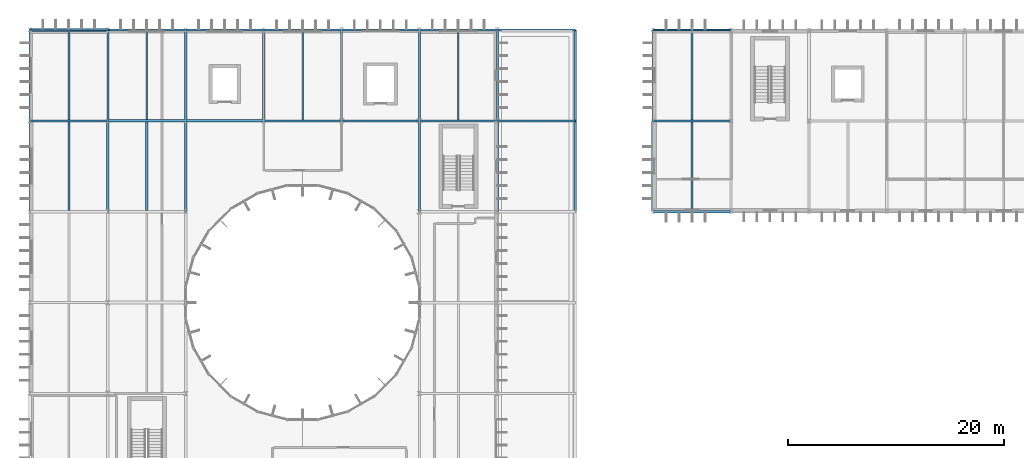
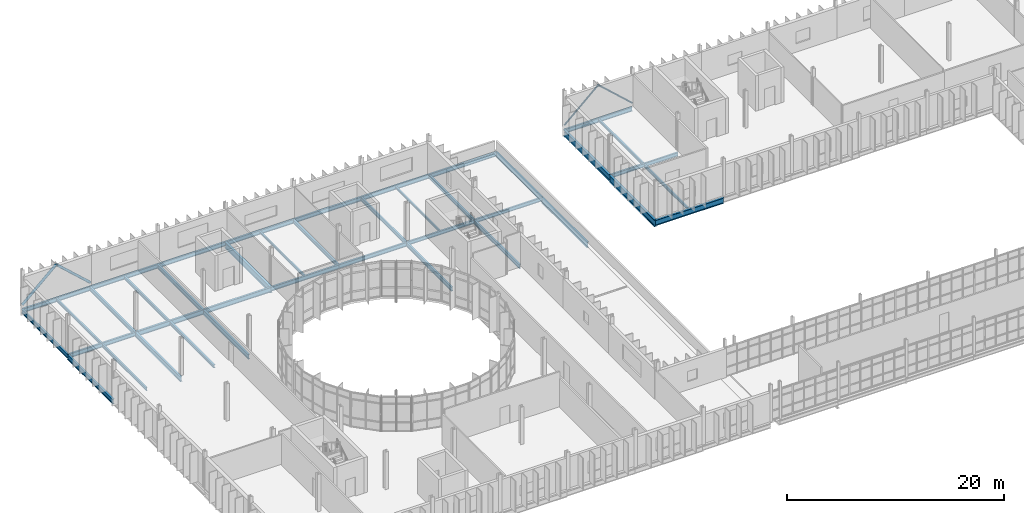
# One storey, part 44 of 99: 41 beams, 4 members.
"""IFC4 building model written with IfcOpenShell, lengths in metres."""

from ifc_helpers import new_model, si_unit, direction, frame, origin, origin_2d, place, context, subcontext, project, spatial, hollow_circle, i_section, extrude, material, material_profile, profile_set, type_object, element, save


model = new_model("IFC4")

# Units and contexts
model_context = context("Model", 3, precision=1e-05, world=origin(), true_north=direction((0.0, 1.0)))
body_context = subcontext(model_context, "Body", "Model", "MODEL_VIEW")
ifc_project = project(units=[si_unit("LENGTHUNIT", "METRE"), si_unit("AREAUNIT", "SQUARE_METRE"), si_unit("VOLUMEUNIT", "CUBIC_METRE"), si_unit("PLANEANGLEUNIT", "RADIAN"), si_unit("MASSUNIT", "GRAM", prefix="KILO")], contexts=[model_context])

# Site, building, storey
site_placement = place(None, origin())
site = spatial("IfcSite", under=ifc_project, at=site_placement, CompositionType="ELEMENT")
building_placement = place(site_placement, origin())
building = spatial("IfcBuilding", under=site, at=building_placement, Name="Qelthora Terrace Specialist Clinic", CompositionType="ELEMENT")
storey_placement = place(building_placement, frame((0.0, 0.0, 9.0)))
storey = spatial("IfcBuildingStorey", under=building, at=storey_placement, Name="L02", CompositionType="ELEMENT", Elevation=9.0)

# Beams
ifc_material = material(Name="Steel S355", Category="steel")
ifc_material_profile_1 = material_profile(ifc_material, i_section(OverallWidth=0.178955078125, OverallDepth=0.409912109375, WebThickness=0.0087890625, FlangeThickness=0.014404296875, FilletRadius=0.011962890625, at=origin_2d()), Name="W410X67")
ifc_profile_set_1 = profile_set([ifc_material_profile_1], Name="Steel S355")
beam_type_1 = type_object("IfcBeamType", Name="BM-W410X67", PredefinedType="BEAM", material=ifc_profile_set_1)
beam_1_placement = place(storey_placement, frame((43.199951171875, 100.800048828125, -0.455078125), z_axis=(1.0, 0.0, 0.0), x_axis=(0.0, 1.0, 0.0)))
element("IfcBeam", 1, at=beam_1_placement, inside=storey, type_object=beam_type_1, Name="Girder BMX-L02-0710", PredefinedType="BEAM", context=body_context, shape_type="SweptSolid", body=[
    extrude(i_section(OverallWidth=0.178955078125, OverallDepth=0.409912109375, WebThickness=0.0087890625, FlangeThickness=0.014404296875, FilletRadius=0.011962890625, at=origin_2d()), origin(), (0.0, 0.0, 1.0), 7.199951171875),
])
ifc_material_profile_2 = material_profile(ifc_material, i_section(OverallWidth=0.179931640625, OverallDepth=0.4130859375, WebThickness=0.009765625, FlangeThickness=0.01611328125, FilletRadius=0.011962890625, at=origin_2d()), Name="W410X75")
ifc_profile_set_2 = profile_set([ifc_material_profile_2], Name="Steel S355")
beam_type_2 = type_object("IfcBeamType", Name="BM-W410X75", PredefinedType="BEAM", material=ifc_profile_set_2)
for number, where, z_axis, x_axis, name in (
    (2, (36.0, 100.800048828125, -0.45654296875), (1.0, 0.0, 0.0), (0.0, 1.0, 0.0), "Girder BMX-L02-0709"),
    (3, (57.60009765625, 100.800048828125, -0.45654296875), (1.0, 0.0, 0.0), (0.0, 1.0, 0.0), "Girder BMX-L02-0711"),
):
    element("IfcBeam", number, at=place(storey_placement, frame(where, z_axis=z_axis, x_axis=x_axis)), inside=storey, type_object=beam_type_2, Name=name, PredefinedType="BEAM", context=body_context, shape_type="SweptSolid", body=[
        extrude(i_section(OverallWidth=0.179931640625, OverallDepth=0.4130859375, WebThickness=0.009765625, FlangeThickness=0.01611328125, FilletRadius=0.011962890625, at=origin_2d()), origin(), (0.0, 0.0, 1.0), 7.199951171875),
    ])
for number, where, z_axis, x_axis, name in (
    (4, (28.800048828125, 100.800048828125, -0.45654296875), (0.0, 1.0, 0.0), (-1.0, 0.0, 0.0), "Girder BMY-L02-0779"),
    (5, (36.0, 100.800048828125, -0.45654296875), (0.0, 1.0, 0.0), (-1.0, 0.0, 0.0), "Girder BMY-L02-0789"),
    (6, (43.199951171875, 100.800048828125, -0.45654296875), (0.0, 1.0, 0.0), (-1.0, 0.0, 0.0), "Girder BMY-L02-0799"),
):
    element("IfcBeam", number, at=place(storey_placement, frame(where, z_axis=z_axis, x_axis=x_axis)), inside=storey, type_object=beam_type_2, Name=name, PredefinedType="BEAM", context=body_context, shape_type="SweptSolid", body=[
        extrude(i_section(OverallWidth=0.179931640625, OverallDepth=0.4130859375, WebThickness=0.009765625, FlangeThickness=0.01611328125, FilletRadius=0.011962890625, at=origin_2d()), origin(), (0.0, 0.0, 1.0), 8.39990234375),
    ])
ifc_material_profile_3 = material_profile(ifc_material, i_section(OverallWidth=0.19091796875, OverallDepth=0.4599609375, WebThickness=0.010009765625, FlangeThickness=0.01611328125, FilletRadius=0.012939453125, at=origin_2d()), Name="W460X82")
ifc_profile_set_3 = profile_set([ifc_material_profile_3], Name="Steel S355")
beam_type_3 = type_object("IfcBeamType", Name="BM-W460X82", PredefinedType="BEAM", material=ifc_profile_set_3)
beam_2_placement = place(storey_placement, frame((28.800048828125, 100.800048828125, -0.47998046875), z_axis=(1.0, 0.0, 0.0), x_axis=(0.0, 1.0, 0.0)))
element("IfcBeam", 7, at=beam_2_placement, inside=storey, type_object=beam_type_3, Name="Girder BMX-L02-0708", PredefinedType="BEAM", context=body_context, shape_type="SweptSolid", body=[
    extrude(i_section(OverallWidth=0.19091796875, OverallDepth=0.4599609375, WebThickness=0.010009765625, FlangeThickness=0.01611328125, FilletRadius=0.012939453125, at=origin_2d()), origin(), (0.0, 0.0, 1.0), 7.199951171875),
])
for number, where, z_axis, x_axis, name in (
    (8, (36.0, 92.39990234375, -0.47998046875), (0.0, 1.0, 0.0), (-1.0, 0.0, 0.0), "Girder BMY-L02-0788"),
    (9, (43.199951171875, 92.39990234375, -0.47998046875), (0.0, 1.0, 0.0), (-1.0, 0.0, 0.0), "Girder BMY-L02-0798"),
):
    element("IfcBeam", number, at=place(storey_placement, frame(where, z_axis=z_axis, x_axis=x_axis)), inside=storey, type_object=beam_type_3, Name=name, PredefinedType="BEAM", context=body_context, shape_type="SweptSolid", body=[
        extrude(i_section(OverallWidth=0.19091796875, OverallDepth=0.4599609375, WebThickness=0.010009765625, FlangeThickness=0.01611328125, FilletRadius=0.012939453125, at=origin_2d()), origin(), (0.0, 0.0, 1.0), 8.400146484375),
    ])
ifc_material_profile_4 = material_profile(ifc_material, i_section(OverallWidth=0.193115234375, OverallDepth=0.466064453125, WebThickness=0.011474609375, FlangeThickness=0.01904296875, FilletRadius=0.012939453125, at=origin_2d()), Name="W460X97")
ifc_profile_set_4 = profile_set([ifc_material_profile_4], Name="Steel S355")
beam_type_4 = type_object("IfcBeamType", Name="BM-W460X97", PredefinedType="BEAM", material=ifc_profile_set_4)
beam_3_placement = place(storey_placement, frame((21.60009765625, 100.800048828125, -0.48291015625), z_axis=(1.0, 0.0, 0.0), x_axis=(0.0, 1.0, 0.0)))
element("IfcBeam", 10, at=beam_3_placement, inside=storey, type_object=beam_type_4, Name="Girder BMX-L02-0707", PredefinedType="BEAM", context=body_context, shape_type="SweptSolid", body=[
    extrude(i_section(OverallWidth=0.193115234375, OverallDepth=0.466064453125, WebThickness=0.011474609375, FlangeThickness=0.01904296875, FilletRadius=0.012939453125, at=origin_2d()), origin(), (0.0, 0.0, 1.0), 7.199951171875),
])
for number, where, z_axis, x_axis, name in (
    (11, (0.0, 100.800048828125, -0.48291015625), (0.0, 1.0, 0.0), (-1.0, 0.0, 0.0), "Girder BMY-L02-0747"),
    (12, (7.199951171875, 100.800048828125, -0.48291015625), (0.0, 1.0, 0.0), (-1.0, 0.0, 0.0), "Girder BMY-L02-0757"),
    (13, (14.39990234375, 100.800048828125, -0.48291015625), (0.0, 1.0, 0.0), (-1.0, 0.0, 0.0), "Girder BMY-L02-0767"),
):
    element("IfcBeam", number, at=place(storey_placement, frame(where, z_axis=z_axis, x_axis=x_axis)), inside=storey, type_object=beam_type_4, Name=name, PredefinedType="BEAM", context=body_context, shape_type="SweptSolid", body=[
        extrude(i_section(OverallWidth=0.193115234375, OverallDepth=0.466064453125, WebThickness=0.011474609375, FlangeThickness=0.01904296875, FilletRadius=0.012939453125, at=origin_2d()), origin(), (0.0, 0.0, 1.0), 8.39990234375),
    ])
ifc_material_profile_5 = material_profile(ifc_material, i_section(OverallWidth=0.2099609375, OverallDepth=0.537109375, WebThickness=0.010986328125, FlangeThickness=0.017333984375, FilletRadius=0.013916015625, at=origin_2d()), Name="W530X101")
ifc_profile_set_5 = profile_set([ifc_material_profile_5], Name="Steel S355")
beam_type_5 = type_object("IfcBeamType", Name="BM-W530X101", PredefinedType="BEAM", material=ifc_profile_set_5)
beam_4_placement = place(storey_placement, frame((14.39990234375, 100.800048828125, -0.5185546875), z_axis=(1.0, 0.0, 0.0), x_axis=(0.0, 1.0, 0.0)))
element("IfcBeam", 14, at=beam_4_placement, inside=storey, type_object=beam_type_5, Name="Girder BMX-L02-0706", PredefinedType="BEAM", context=body_context, shape_type="SweptSolid", body=[
    extrude(i_section(OverallWidth=0.2099609375, OverallDepth=0.537109375, WebThickness=0.010986328125, FlangeThickness=0.017333984375, FilletRadius=0.013916015625, at=origin_2d()), origin(), (0.0, 0.0, 1.0), 7.2001953125),
])
for number, where, z_axis, x_axis, name in (
    (15, (0.0, 92.39990234375, -0.5185546875), (0.0, 1.0, 0.0), (-1.0, 0.0, 0.0), "Girder BMY-L02-0746"),
    (16, (7.199951171875, 92.39990234375, -0.5185546875), (0.0, 1.0, 0.0), (-1.0, 0.0, 0.0), "Girder BMY-L02-0756"),
    (17, (14.39990234375, 92.39990234375, -0.5185546875), (0.0, 1.0, 0.0), (-1.0, 0.0, 0.0), "Girder BMY-L02-0766"),
):
    element("IfcBeam", number, at=place(storey_placement, frame(where, z_axis=z_axis, x_axis=x_axis)), inside=storey, type_object=beam_type_5, Name=name, PredefinedType="BEAM", context=body_context, shape_type="SweptSolid", body=[
        extrude(i_section(OverallWidth=0.2099609375, OverallDepth=0.537109375, WebThickness=0.010986328125, FlangeThickness=0.017333984375, FilletRadius=0.013916015625, at=origin_2d()), origin(), (0.0, 0.0, 1.0), 8.400146484375),
    ])
ifc_material_profile_6 = material_profile(ifc_material, i_section(OverallWidth=0.2119140625, OverallDepth=0.5439453125, WebThickness=0.01318359375, FlangeThickness=0.021240234375, FilletRadius=0.013916015625, at=origin_2d()), Name="W530X123")
ifc_profile_set_6 = profile_set([ifc_material_profile_6], Name="Steel S355")
beam_type_6 = type_object("IfcBeamType", Name="BM-W530X123", PredefinedType="BEAM", material=ifc_profile_set_6)
beam_5_placement = place(storey_placement, frame((7.199951171875, 100.800048828125, -0.52197265625), z_axis=(1.0, 0.0, 0.0), x_axis=(0.0, 1.0, 0.0)))
element("IfcBeam", 18, at=beam_5_placement, inside=storey, type_object=beam_type_6, Name="Girder BMX-L02-0705", PredefinedType="BEAM", context=body_context, shape_type="SweptSolid", body=[
    extrude(i_section(OverallWidth=0.2119140625, OverallDepth=0.5439453125, WebThickness=0.01318359375, FlangeThickness=0.021240234375, FilletRadius=0.013916015625, at=origin_2d()), origin(), (0.0, 0.0, 1.0), 7.199951171875),
])
beam_6_placement = place(storey_placement, frame((50.39990234375, 100.800048828125, -0.52197265625), z_axis=(0.0, 1.0, 0.0), x_axis=(-1.0, 0.0, 0.0)))
element("IfcBeam", 19, at=beam_6_placement, inside=storey, type_object=beam_type_6, Name="Girder BMY-L02-0805", PredefinedType="BEAM", context=body_context, shape_type="SweptSolid", body=[
    extrude(i_section(OverallWidth=0.2119140625, OverallDepth=0.5439453125, WebThickness=0.01318359375, FlangeThickness=0.021240234375, FilletRadius=0.013916015625, at=origin_2d()), origin(), (0.0, 0.0, 1.0), 8.39990234375),
])
ifc_material_profile_7 = material_profile(ifc_material, i_section(OverallWidth=0.22900390625, OverallDepth=0.612060546875, WebThickness=0.011962890625, FlangeThickness=0.01953125, FilletRadius=0.01611328125, at=origin_2d()), Name="W610X125")
ifc_profile_set_7 = profile_set([ifc_material_profile_7], Name="Steel S355")
beam_type_7 = type_object("IfcBeamType", Name="BM-W610X125", PredefinedType="BEAM", material=ifc_profile_set_7)
beam_7_placement = place(storey_placement, frame((57.60009765625, 92.39990234375, -0.555908203125), z_axis=(1.0, 0.0, 0.0), x_axis=(0.0, 1.0, 0.0)))
element("IfcBeam", 20, at=beam_7_placement, inside=storey, type_object=beam_type_7, Name="Girder BMX-L02-0690", PredefinedType="BEAM", context=body_context, shape_type="SweptSolid", body=[
    extrude(i_section(OverallWidth=0.22900390625, OverallDepth=0.612060546875, WebThickness=0.011962890625, FlangeThickness=0.01953125, FilletRadius=0.01611328125, at=origin_2d()), origin(), (0.0, 0.0, 1.0), 7.199951171875),
])
ifc_material_profile_8 = material_profile(ifc_material, i_section(OverallWidth=0.22998046875, OverallDepth=0.616943359375, WebThickness=0.01318359375, FlangeThickness=0.022216796875, FilletRadius=0.01611328125, at=origin_2d()), Name="W610X140")
ifc_profile_set_8 = profile_set([ifc_material_profile_8], Name="Steel S355")
beam_type_8 = type_object("IfcBeamType", Name="BM-W610X140", PredefinedType="BEAM", material=ifc_profile_set_8)
beam_8_placement = place(storey_placement, frame((50.39990234375, 92.39990234375, -0.55859375), z_axis=(0.0, 1.0, 0.0), x_axis=(-1.0, 0.0, 0.0)))
element("IfcBeam", 21, at=beam_8_placement, inside=storey, type_object=beam_type_8, Name="Girder BMY-L02-0804", PredefinedType="BEAM", context=body_context, shape_type="SweptSolid", body=[
    extrude(i_section(OverallWidth=0.22998046875, OverallDepth=0.616943359375, WebThickness=0.01318359375, FlangeThickness=0.022216796875, FilletRadius=0.01611328125, at=origin_2d()), origin(), (0.0, 0.0, 1.0), 8.400146484375),
])
ifc_material_profile_9 = material_profile(ifc_material, i_section(OverallWidth=0.256103515625, OverallDepth=0.693115234375, WebThickness=0.014404296875, FlangeThickness=0.023681640625, FilletRadius=0.01806640625, at=origin_2d()), Name="W690X170")
ifc_profile_set_9 = profile_set([ifc_material_profile_9], Name="Steel S355")
beam_type_9 = type_object("IfcBeamType", Name="BM-W690X170", PredefinedType="BEAM", material=ifc_profile_set_9)
for number, where, z_axis, x_axis, name in (
    (22, (21.60009765625, 100.800048828125, -0.596435546875), (0.0, 1.0, 0.0), (-1.0, 0.0, 0.0), "Girder BMY-L02-0773"),
    (23, (57.60009765625, 100.800048828125, -0.596435546875), (0.0, 1.0, 0.0), (-1.0, 0.0, 0.0), "Girder BMY-L02-0813"),
):
    element("IfcBeam", number, at=place(storey_placement, frame(where, z_axis=z_axis, x_axis=x_axis)), inside=storey, type_object=beam_type_9, Name=name, PredefinedType="BEAM", context=body_context, shape_type="SweptSolid", body=[
        extrude(i_section(OverallWidth=0.256103515625, OverallDepth=0.693115234375, WebThickness=0.014404296875, FlangeThickness=0.023681640625, FilletRadius=0.01806640625, at=origin_2d()), origin(), (0.0, 0.0, 1.0), 8.39990234375),
    ])
ifc_material_profile_10 = material_profile(ifc_material, i_section(OverallWidth=0.26806640625, OverallDepth=0.77001953125, WebThickness=0.015625, FlangeThickness=0.025390625, FilletRadius=0.01904296875, at=origin_2d()), Name="W760X196")
ifc_profile_set_10 = profile_set([ifc_material_profile_10], Name="Steel S355")
beam_type_10 = type_object("IfcBeamType", Name="BM-W760X196", PredefinedType="BEAM", material=ifc_profile_set_10)
beam_9_placement = place(storey_placement, frame((57.60009765625, 92.39990234375, -0.635009765625), z_axis=(0.0, 1.0, 0.0), x_axis=(-1.0, 0.0, 0.0)))
element("IfcBeam", 24, at=beam_9_placement, inside=storey, type_object=beam_type_10, Name="Girder BMY-L02-0812", PredefinedType="BEAM", context=body_context, shape_type="SweptSolid", body=[
    extrude(i_section(OverallWidth=0.26806640625, OverallDepth=0.77001953125, WebThickness=0.015625, FlangeThickness=0.025390625, FilletRadius=0.01904296875, at=origin_2d()), origin(), (0.0, 0.0, 1.0), 8.400146484375),
])
ifc_material_profile_11 = material_profile(ifc_material, i_section(OverallWidth=0.14599609375, OverallDepth=0.258056640625, WebThickness=0.006103515625, FlangeThickness=0.009033203125, FilletRadius=0.009033203125, at=origin_2d()), Name="W250X33")
ifc_profile_set_11 = profile_set([ifc_material_profile_11], Name="Steel S355")
beam_type_11 = type_object("IfcBeamType", Name="JST-W250X33", PredefinedType="JOIST", material=ifc_profile_set_11)
beam_10_placement = place(storey_placement, frame((39.60009765625, 100.889892578125, -0.37890625), z_axis=(0.0, 1.0, 0.0), x_axis=(-1.0, 0.0, 0.0)))
element("IfcBeam", 25, at=beam_10_placement, inside=storey, type_object=beam_type_11, Name="Composite floor joist JST-L02-0168", PredefinedType="JOIST", context=body_context, shape_type="SweptSolid", body=[
    extrude(i_section(OverallWidth=0.14599609375, OverallDepth=0.258056640625, WebThickness=0.006103515625, FlangeThickness=0.009033203125, FilletRadius=0.009033203125, at=origin_2d()), origin(), (0.0, 0.0, 1.0), 8.214599609375),
])
ifc_material_profile_12 = material_profile(ifc_material, i_section(OverallWidth=0.14697265625, OverallDepth=0.261962890625, WebThickness=0.006591796875, FlangeThickness=0.01123046875, FilletRadius=0.009033203125, at=origin_2d()), Name="W250X39")
ifc_profile_set_12 = profile_set([ifc_material_profile_12], Name="Steel S355")
beam_type_12 = type_object("IfcBeamType", Name="JST-W250X39", PredefinedType="JOIST", material=ifc_profile_set_12)
beam_11_placement = place(storey_placement, frame((25.199951171875, 100.896484375, -0.381103515625), z_axis=(0.0, 1.0, 0.0), x_axis=(-1.0, 0.0, 0.0)))
element("IfcBeam", 26, at=beam_11_placement, inside=storey, type_object=beam_type_12, Name="Composite floor joist JST-L02-0161", PredefinedType="JOIST", context=body_context, shape_type="SweptSolid", body=[
    extrude(i_section(OverallWidth=0.14697265625, OverallDepth=0.261962890625, WebThickness=0.006591796875, FlangeThickness=0.01123046875, FilletRadius=0.009033203125, at=origin_2d()), origin(), (0.0, 0.0, 1.0), 8.2080078125),
])
ifc_material_profile_13 = material_profile(ifc_material, i_section(OverallWidth=0.166015625, OverallDepth=0.31298828125, WebThickness=0.006591796875, FlangeThickness=0.01123046875, FilletRadius=0.010009765625, at=origin_2d()), Name="W310X45")
ifc_profile_set_13 = profile_set([ifc_material_profile_13], Name="Steel S355")
beam_type_13 = type_object("IfcBeamType", Name="JST-W310X45", PredefinedType="JOIST", material=ifc_profile_set_13)
beam_12_placement = place(storey_placement, frame((61.199951171875, 100.889892578125, -0.406494140625), z_axis=(0.0, 1.0, 0.0), x_axis=(-1.0, 0.0, 0.0)))
element("IfcBeam", 27, at=beam_12_placement, inside=storey, type_object=beam_type_13, Name="Composite floor joist JST-L02-0172", PredefinedType="JOIST", context=body_context, shape_type="SweptSolid", body=[
    extrude(i_section(OverallWidth=0.166015625, OverallDepth=0.31298828125, WebThickness=0.006591796875, FlangeThickness=0.01123046875, FilletRadius=0.010009765625, at=origin_2d()), origin(), (0.0, 0.0, 1.0), 8.214599609375),
])
ifc_material_profile_14 = material_profile(ifc_material, i_section(OverallWidth=0.1669921875, OverallDepth=0.31689453125, WebThickness=0.007568359375, FlangeThickness=0.01318359375, FilletRadius=0.010009765625, at=origin_2d()), Name="W310X52")
ifc_profile_set_14 = profile_set([ifc_material_profile_14], Name="Steel S355")
beam_type_14 = type_object("IfcBeamType", Name="JST-W310X52", PredefinedType="JOIST", material=ifc_profile_set_14)
beam_13_placement = place(storey_placement, frame((3.60009765625, 100.8955078125, -0.408447265625), z_axis=(0.0, 1.0, 0.0), x_axis=(-1.0, 0.0, 0.0)))
element("IfcBeam", 28, at=beam_13_placement, inside=storey, type_object=beam_type_14, Name="Composite floor joist JST-L02-0153", PredefinedType="JOIST", context=body_context, shape_type="SweptSolid", body=[
    extrude(i_section(OverallWidth=0.1669921875, OverallDepth=0.31689453125, WebThickness=0.007568359375, FlangeThickness=0.01318359375, FilletRadius=0.010009765625, at=origin_2d()), origin(), (0.0, 0.0, 1.0), 8.208984375),
])
beam_14_placement = place(storey_placement, frame((61.199951171875, 92.514404296875, -0.408447265625), z_axis=(0.0, 1.0, 0.0), x_axis=(-1.0, 0.0, 0.0)))
element("IfcBeam", 29, at=beam_14_placement, inside=storey, type_object=beam_type_14, Name="Composite floor joist JST-L02-0171", PredefinedType="JOIST", context=body_context, shape_type="SweptSolid", body=[
    extrude(i_section(OverallWidth=0.1669921875, OverallDepth=0.31689453125, WebThickness=0.007568359375, FlangeThickness=0.01318359375, FilletRadius=0.010009765625, at=origin_2d()), origin(), (0.0, 0.0, 1.0), 8.195556640625),
])
ifc_material_profile_15 = material_profile(ifc_material, i_section(OverallWidth=0.172119140625, OverallDepth=0.35791015625, WebThickness=0.0078125, FlangeThickness=0.01318359375, FilletRadius=0.010986328125, at=origin_2d()), Name="W360X57")
ifc_profile_set_15 = profile_set([ifc_material_profile_15], Name="Steel S355")
beam_type_15 = type_object("IfcBeamType", Name="JST-W360X57", PredefinedType="JOIST", material=ifc_profile_set_15)
beam_15_placement = place(storey_placement, frame((3.60009765625, 92.49560546875, -0.428955078125), z_axis=(0.0, 1.0, 0.0), x_axis=(-1.0, 0.0, 0.0)))
element("IfcBeam", 30, at=beam_15_placement, inside=storey, type_object=beam_type_15, Name="Composite floor joist JST-L02-0152", PredefinedType="JOIST", context=body_context, shape_type="SweptSolid", body=[
    extrude(i_section(OverallWidth=0.172119140625, OverallDepth=0.35791015625, WebThickness=0.0078125, FlangeThickness=0.01318359375, FilletRadius=0.010986328125, at=origin_2d()), origin(), (0.0, 0.0, 1.0), 8.208984375),
])
beam_16_placement = place(storey_placement, frame((10.800048828125, 100.906005859375, -0.428955078125), z_axis=(0.0, 1.0, 0.0), x_axis=(-1.0, 0.0, 0.0)))
element("IfcBeam", 31, at=beam_16_placement, inside=storey, type_object=beam_type_15, Name="Composite floor joist JST-L02-0158", PredefinedType="JOIST", context=body_context, shape_type="SweptSolid", body=[
    extrude(i_section(OverallWidth=0.172119140625, OverallDepth=0.35791015625, WebThickness=0.0078125, FlangeThickness=0.01318359375, FilletRadius=0.010986328125, at=origin_2d()), origin(), (0.0, 0.0, 1.0), 8.198486328125),
])
ifc_material_profile_16 = material_profile(ifc_material, i_section(OverallWidth=0.202880859375, OverallDepth=0.346923828125, WebThickness=0.0078125, FlangeThickness=0.013427734375, FilletRadius=0.010986328125, at=origin_2d()), Name="W360X64")
ifc_profile_set_16 = profile_set([ifc_material_profile_16], Name="Steel S355")
beam_type_16 = type_object("IfcBeamType", Name="JST-W360X64", PredefinedType="JOIST", material=ifc_profile_set_16)
beam_17_placement = place(storey_placement, frame((10.800048828125, 92.528076171875, -0.423583984375), z_axis=(0.0, 1.0, 0.0), x_axis=(-1.0, 0.0, 0.0)))
element("IfcBeam", 32, at=beam_17_placement, inside=storey, type_object=beam_type_16, Name="Composite floor joist JST-L02-0157", PredefinedType="JOIST", context=body_context, shape_type="SweptSolid", body=[
    extrude(i_section(OverallWidth=0.202880859375, OverallDepth=0.346923828125, WebThickness=0.0078125, FlangeThickness=0.013427734375, FilletRadius=0.010986328125, at=origin_2d()), origin(), (0.0, 0.0, 1.0), 8.166015625),
])

# Members
ifc_material_profile_17 = material_profile(ifc_material, hollow_circle(Radius=0.083984375, WallThickness=0.008056640625, at=origin_2d()), Name="CHS168X8")
ifc_profile_set_17 = profile_set([ifc_material_profile_17], Name="Steel S355")
member_type_1 = type_object("IfcMemberType", Name="MEM-BRACE-CHS168", PredefinedType="BRACE", material=ifc_profile_set_17)
member_1_placement = place(storey_placement, frame((57.60009765625, 109.199951171875, 0.179931640625), z_axis=(0.740203511447, 0.0, 0.672382898089), x_axis=(0.0, 1.0, 0.0)))
element("IfcMember", 33, at=member_1_placement, inside=storey, type_object=member_type_1, Name="Concentric seismic chevron brace B7-L02A", PredefinedType="BRACE", context=body_context, shape_type="SweptSolid", body=[
    extrude(hollow_circle(Radius=0.083984375, WallThickness=0.008056640625, at=origin_2d()), origin(), (0.0, 0.0, 1.0), 4.86328125),
])
member_2_placement = place(storey_placement, frame((64.800048828125, 109.199951171875, 0.179931640625), z_axis=(-0.740226205678, 0.0, 0.672357913933), x_axis=(0.0, -1.0, 0.0)))
element("IfcMember", 34, at=member_2_placement, inside=storey, type_object=member_type_1, Name="Concentric seismic chevron brace B7-L02B", PredefinedType="BRACE", context=body_context, shape_type="SweptSolid", body=[
    extrude(hollow_circle(Radius=0.083984375, WallThickness=0.008056640625, at=origin_2d()), origin(), (0.0, 0.0, 1.0), 4.863525390625),
])
ifc_material_profile_18 = material_profile(ifc_material, hollow_circle(Radius=0.136474609375, WallThickness=0.011962890625, at=origin_2d()), Name="CHS273X12")
ifc_profile_set_18 = profile_set([ifc_material_profile_18], Name="Steel S355")
member_type_2 = type_object("IfcMemberType", Name="MEM-BRACE-CHS273", PredefinedType="BRACE", material=ifc_profile_set_18)
member_3_placement = place(storey_placement, frame((0.0, 109.199951171875, 0.179931640625), z_axis=(0.740226205678, 0.0, 0.672357913933), x_axis=(0.0, 1.0, 0.0)))
element("IfcMember", 35, at=member_3_placement, inside=storey, type_object=member_type_2, Name="Concentric seismic chevron brace B2-L02A", PredefinedType="BRACE", context=body_context, shape_type="SweptSolid", body=[
    extrude(hollow_circle(Radius=0.136474609375, WallThickness=0.011962890625, at=origin_2d()), origin(), (0.0, 0.0, 1.0), 4.863525390625),
])
member_4_placement = place(storey_placement, frame((7.199951171875, 109.199951171875, 0.179931640625), z_axis=(-0.740203511447, 0.0, 0.672382898089), x_axis=(0.0, -1.0, 0.0)))
element("IfcMember", 36, at=member_4_placement, inside=storey, type_object=member_type_2, Name="Concentric seismic chevron brace B2-L02B", PredefinedType="BRACE", context=body_context, shape_type="SweptSolid", body=[
    extrude(hollow_circle(Radius=0.136474609375, WallThickness=0.011962890625, at=origin_2d()), origin(), (0.0, 0.0, 1.0), 4.86328125),
])

# Beams
ifc_material_profile_19 = material_profile(ifc_material, i_section(OverallWidth=0.19091796875, OverallDepth=0.4599609375, WebThickness=0.010009765625, FlangeThickness=0.01611328125, FilletRadius=0.012939453125, at=origin_2d()), Name="W460X82")
ifc_profile_set_19 = profile_set([ifc_material_profile_19], Name="Steel S355")
beam_type_17 = type_object("IfcBeamType", Name="SPD-W460X82", PredefinedType="SPANDREL", material=ifc_profile_set_19)
for number, where, z_axis, x_axis, name in (
    (37, (0.0, 100.800048828125, -0.47998046875), (1.0, 0.0, 0.0), (0.0, 1.0, 0.0), "Girder BMX-L02-0704"),
    (38, (0.0, 109.199951171875, -0.47998046875), (1.0, 0.0, 0.0), (0.0, 1.0, 0.0), "Girder BMX-L02-0719"),
    (39, (7.199951171875, 109.199951171875, -0.47998046875), (1.0, 0.0, 0.0), (0.0, 1.0, 0.0), "Girder BMX-L02-0720"),
):
    element("IfcBeam", number, at=place(storey_placement, frame(where, z_axis=z_axis, x_axis=x_axis)), inside=storey, type_object=beam_type_17, Name=name, PredefinedType="SPANDREL", context=body_context, shape_type="SweptSolid", body=[
        extrude(i_section(OverallWidth=0.19091796875, OverallDepth=0.4599609375, WebThickness=0.010009765625, FlangeThickness=0.01611328125, FilletRadius=0.012939453125, at=origin_2d()), origin(), (0.0, 0.0, 1.0), 7.199951171875),
    ])
beam_18_placement = place(storey_placement, frame((14.39990234375, 109.199951171875, -0.47998046875), z_axis=(1.0, 0.0, 0.0), x_axis=(0.0, 1.0, 0.0)))
element("IfcBeam", 40, at=beam_18_placement, inside=storey, type_object=beam_type_17, Name="Girder BMX-L02-0721", PredefinedType="SPANDREL", context=body_context, shape_type="SweptSolid", body=[
    extrude(i_section(OverallWidth=0.19091796875, OverallDepth=0.4599609375, WebThickness=0.010009765625, FlangeThickness=0.01611328125, FilletRadius=0.012939453125, at=origin_2d()), origin(), (0.0, 0.0, 1.0), 7.2001953125),
])
for number, where, z_axis, x_axis, name in (
    (41, (21.60009765625, 109.199951171875, -0.47998046875), (1.0, 0.0, 0.0), (0.0, 1.0, 0.0), "Girder BMX-L02-0722"),
    (42, (28.800048828125, 109.199951171875, -0.47998046875), (1.0, 0.0, 0.0), (0.0, 1.0, 0.0), "Girder BMX-L02-0723"),
    (43, (36.0, 109.199951171875, -0.47998046875), (1.0, 0.0, 0.0), (0.0, 1.0, 0.0), "Girder BMX-L02-0724"),
    (44, (43.199951171875, 109.199951171875, -0.47998046875), (1.0, 0.0, 0.0), (0.0, 1.0, 0.0), "Girder BMX-L02-0725"),
    (45, (57.60009765625, 109.199951171875, -0.47998046875), (1.0, 0.0, 0.0), (0.0, 1.0, 0.0), "Girder BMX-L02-0726"),
):
    element("IfcBeam", number, at=place(storey_placement, frame(where, z_axis=z_axis, x_axis=x_axis)), inside=storey, type_object=beam_type_17, Name=name, PredefinedType="SPANDREL", context=body_context, shape_type="SweptSolid", body=[
        extrude(i_section(OverallWidth=0.19091796875, OverallDepth=0.4599609375, WebThickness=0.010009765625, FlangeThickness=0.01611328125, FilletRadius=0.012939453125, at=origin_2d()), origin(), (0.0, 0.0, 1.0), 7.199951171875),
    ])

save(model, "model.ifc")
